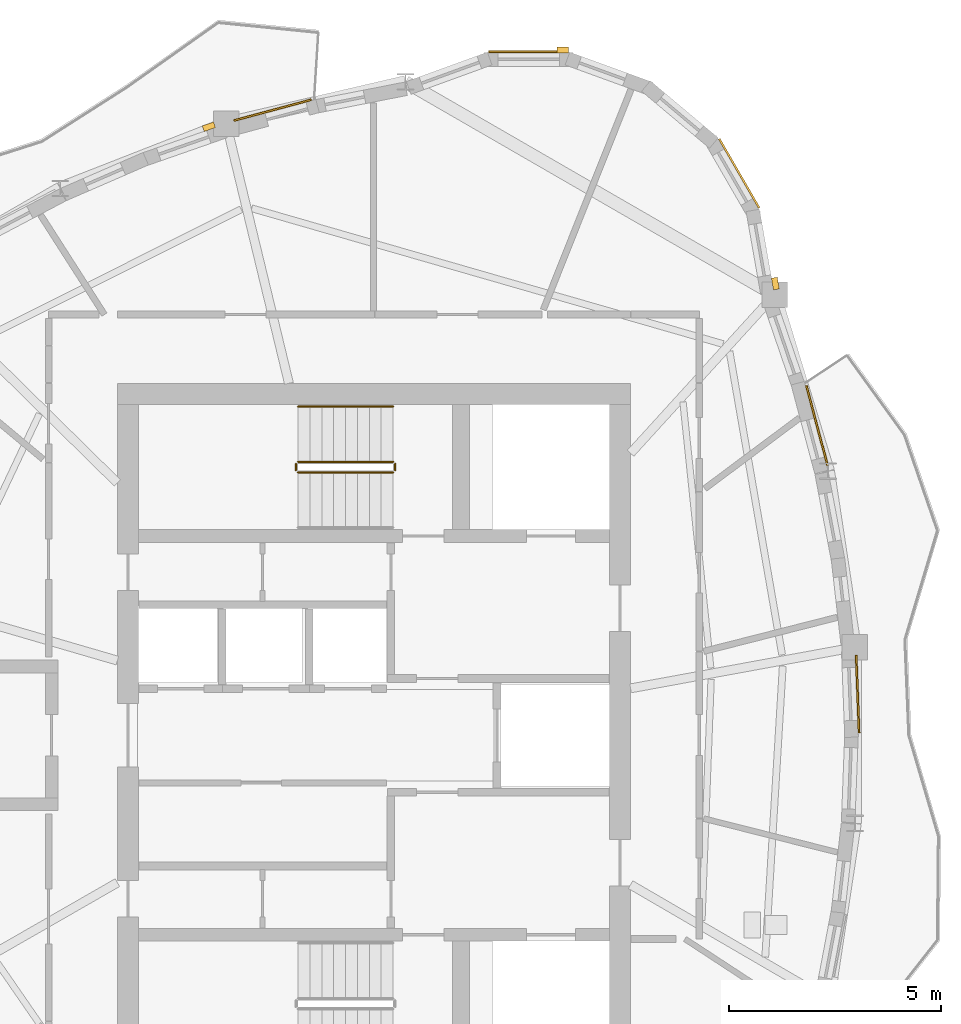
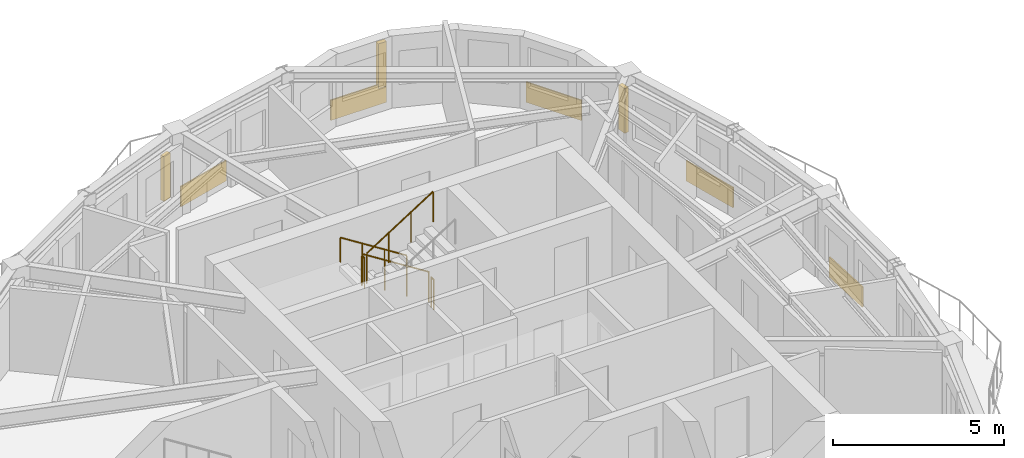
# One storey, part 10 of 11: 5 coverings, 5 railings, 3 shading devices.
"""IFC4 building model written with IfcOpenShell, lengths in metres."""

from ifc_helpers import new_model, si_unit, direction, frame, origin, origin_2d, place, context, subcontext, project, spatial, rectangle, circle, extrude, source, transform, mapped, material, layer, layer_set, type_object, element, save


model = new_model("IFC4")

# Units and contexts
model_context = context("Model", 3, precision=1e-05, world=origin(), true_north=direction((0.0, 1.0)))
body_context = subcontext(model_context, "Body", "Model", "MODEL_VIEW")
ifc_project = project(units=[si_unit("LENGTHUNIT", "METRE"), si_unit("AREAUNIT", "SQUARE_METRE"), si_unit("VOLUMEUNIT", "CUBIC_METRE"), si_unit("PLANEANGLEUNIT", "RADIAN"), si_unit("MASSUNIT", "GRAM", prefix="KILO")], contexts=[model_context])

# Site, building, storey
site_placement = place(None, origin())
site = spatial("IfcSite", under=ifc_project, at=site_placement, CompositionType="ELEMENT")
building_placement = place(site_placement, origin())
building = spatial("IfcBuilding", under=site, at=building_placement, Name="Qafzar Sky-Pleat Residences", CompositionType="ELEMENT")
storey_placement = place(building_placement, frame((0.0, 0.0, 240.39990234375)))
storey = spatial("IfcBuildingStorey", under=building, at=storey_placement, Name="L72", CompositionType="ELEMENT", Elevation=240.39990234375)

# Shading devices
ifc_material_1 = material(Name="Honed Riyadh limestone solar fin", Category="masonry")
ifc_layer_1 = layer(ifc_material_1, 0.139892578125)
ifc_layer_set_1 = layer_set([ifc_layer_1], Name="Honed Riyadh limestone solar fin")
shading_device_type = type_object("IfcShadingDeviceType", Name="SHD-FIN-STONE", PredefinedType="SHUTTER", material=ifc_layer_set_1)
shared_shape_1 = source(origin(), body_context, "Body", "SweptSolid", [
    extrude(rectangle(XDim=0.139892578125, YDim=0.280029296875, at=origin_2d()), origin(), (0.0, 0.0, 1.0), 1.60009765625),
])
for number, where, z_axis, x_axis, name in (
    (1, (39.813720703125, 36.652099609375, 0.60009765625), (0.0, 0.0, 1.0), (0.984807537751, 0.173649398471, 0.0), "L72 Limestone Solar Fin 33"),
    (2, (34.800048828125, 42.160400390625, 0.60009765625), (0.0, 0.0, 1.0), (0.0, 1.0, 0.0), "L72 Limestone Solar Fin 37"),
    (3, (26.457275390625, 40.349365234375, 0.60009765625), (0.0, 0.0, 1.0), (-0.329579093923, 0.944127968471, 0.0), "L72 Limestone Solar Fin 41"),
):
    element("IfcShadingDevice", number, at=place(storey_placement, frame(where, z_axis=z_axis, x_axis=x_axis)), inside=storey, type_object=shading_device_type, Name=name, PredefinedType="SHUTTER", context=body_context, shape_type="MappedRepresentation", body=[
        mapped(shared_shape_1, transform((0.0, 0.0, 0.0), x_axis=(1.0, 0.0, 0.0), y_axis=(0.0, 1.0, 0.0), z_axis=(0.0, 0.0, 1.0), scale=1.0)),
    ])

# Coverings
ifc_material_2 = material(Name="Honed Riyadh Tuwaiq limestone cladding", Category="masonry")
ifc_layer_2 = layer(ifc_material_2, 0.044921875)
ifc_layer_set_2 = layer_set([ifc_layer_2], Name="Honed Riyadh Tuwaiq limestone cladding")
covering_type = type_object("IfcCoveringType", Name="COV-CLAD-STONE", PredefinedType="CLADDING", material=ifc_layer_set_2)
shared_shape_2 = source(origin(), body_context, "Body", "SweptSolid", [
    extrude(rectangle(XDim=1.88134765625, YDim=0.044921875, at=origin_2d()), origin(), (0.0, 0.0, 1.0), 0.719970703125),
])
covering_1_placement = place(storey_placement, frame((33.9951171875, 42.117431640625, 0.02001953125), z_axis=(0.0, 0.0, 1.0), x_axis=(-1.0, 0.0, 0.0)))
element("IfcCovering", 4, at=covering_1_placement, inside=storey, type_object=covering_type, Name="L72 Riyadh Limestone Spandrel Cladding 37", PredefinedType="CLADDING", context=body_context, shape_type="MappedRepresentation", body=[
    mapped(shared_shape_2, transform((0.0, 0.0, 0.0), x_axis=(1.0, 0.0, 0.0), y_axis=(0.0, 1.0, 0.0), z_axis=(0.0, 0.0, 1.0), scale=1.0)),
])
shared_shape_3 = source(origin(), body_context, "Body", "SweptSolid", [
    extrude(rectangle(XDim=1.881103515625, YDim=0.044921875, at=origin_2d()), origin(), (0.0, 0.0, 1.0), 0.719970703125),
])
covering_2_placement = place(storey_placement, frame((38.960693359375, 39.25048828125, 0.02001953125), z_axis=(0.0, 0.0, 1.0), x_axis=(-0.499993018474, 0.866029434533, 0.0)))
element("IfcCovering", 5, at=covering_2_placement, inside=storey, type_object=covering_type, Name="L72 Riyadh Limestone Spandrel Cladding 34", PredefinedType="CLADDING", context=body_context, shape_type="MappedRepresentation", body=[
    mapped(shared_shape_3, transform((0.0, 0.0, 0.0), x_axis=(1.0, 0.0, 0.0), y_axis=(0.0, 1.0, 0.0), z_axis=(0.0, 0.0, 1.0), scale=1.0)),
])
shared_shape_4 = source(origin(), body_context, "Body", "SweptSolid", [
    extrude(rectangle(XDim=1.823486328125, YDim=0.044921875, at=origin_2d()), origin(), (0.0, 0.0, 1.0), 0.719970703125),
])
covering_3_placement = place(storey_placement, frame((41.7529296875, 26.975341796875, 0.02001953125), z_axis=(0.0, 0.0, 1.0), x_axis=(-0.038002853535, 0.999277630653, 0.0)))
element("IfcCovering", 6, at=covering_3_placement, inside=storey, type_object=covering_type, Name="L72 Riyadh Limestone Spandrel Cladding 28", PredefinedType="CLADDING", context=body_context, shape_type="MappedRepresentation", body=[
    mapped(shared_shape_4, transform((0.0, 0.0, 0.0), x_axis=(1.0, 0.0, 0.0), y_axis=(0.0, 1.0, 0.0), z_axis=(0.0, 0.0, 1.0), scale=1.0)),
])
shared_shape_5 = source(origin(), body_context, "Body", "SweptSolid", [
    extrude(rectangle(XDim=1.9501953125, YDim=0.044921875, at=origin_2d()), origin(), (0.0, 0.0, 1.0), 0.719970703125),
])
covering_4_placement = place(storey_placement, frame((40.795166015625, 33.30224609375, 0.02001953125), z_axis=(0.0, 0.0, 1.0), x_axis=(-0.257091020196, 0.966387193279, 0.0)))
element("IfcCovering", 7, at=covering_4_placement, inside=storey, type_object=covering_type, Name="L72 Riyadh Limestone Spandrel Cladding 31", PredefinedType="CLADDING", context=body_context, shape_type="MappedRepresentation", body=[
    mapped(shared_shape_5, transform((0.0, 0.0, 0.0), x_axis=(1.0, 0.0, 0.0), y_axis=(0.0, 1.0, 0.0), z_axis=(0.0, 0.0, 1.0), scale=1.0)),
])
shared_shape_6 = source(origin(), body_context, "Body", "SweptSolid", [
    extrude(rectangle(XDim=1.88720703125, YDim=0.044921875, at=origin_2d()), origin(), (0.0, 0.0, 1.0), 0.719970703125),
])
covering_5_placement = place(storey_placement, frame((27.960205078125, 40.7412109375, 0.02001953125), z_axis=(0.0, 0.0, 1.0), x_axis=(-0.965466876139, -0.260525835722, 0.0)))
element("IfcCovering", 8, at=covering_5_placement, inside=storey, type_object=covering_type, Name="L72 Riyadh Limestone Spandrel Cladding 40", PredefinedType="CLADDING", context=body_context, shape_type="MappedRepresentation", body=[
    mapped(shared_shape_6, transform((0.0, 0.0, 0.0), x_axis=(1.0, 0.0, 0.0), y_axis=(0.0, 1.0, 0.0), z_axis=(0.0, 0.0, 1.0), scale=1.0)),
])

# Railings
ifc_material_3 = material(Name="Painted Steel S355 stair guardrail", Category="steel")
railing_type_1 = type_object("IfcRailingType", Name="RAIL-STAIR-GUARD", PredefinedType="GUARDRAIL", material=ifc_material_3)
shared_shape_7 = source(origin(), body_context, "Body", "SweptSolid", [
    extrude(circle(Radius=0.02392578125, at=origin_2d()), frame((0.0, 0.0, 1.076171875), z_axis=(0.0, -1.0, 0.0), x_axis=(1.0, 0.0, 0.0)), (0.0, 0.0, 1.0), 0.14990234375),
    extrude(circle(Radius=0.02099609375, at=origin_2d()), origin(), (0.0, 0.0, 1.0), 1.052001953125),
    extrude(circle(Radius=0.02099609375, at=origin_2d()), frame((0.0, -0.14990234375, 0.0)), (0.0, 0.0, 1.0), 1.052001953125),
])
for number, where, name in (
    (9, (28.510009765625, 32.39990234375, 1.60009765625), "L72 ST2 stair guard 2"),
    (10, (30.85009765625, 32.39990234375, 0.0), "L72 ST2 stair guard 4"),
):
    element("IfcRailing", number, at=place(storey_placement, frame(where)), inside=storey, type_object=railing_type_1, Name=name, PredefinedType="GUARDRAIL", context=body_context, shape_type="MappedRepresentation", body=[
        mapped(shared_shape_7, transform((0.0, 0.0, 0.0), x_axis=(1.0, 0.0, 0.0), y_axis=(0.0, 1.0, 0.0), z_axis=(0.0, 0.0, 1.0), scale=1.0)),
    ])
shared_shape_8 = source(origin(), body_context, "Body", "SweptSolid", [
    extrude(circle(Radius=0.02392578125, at=origin_2d()), frame((0.0, 0.0, 1.076171875), z_axis=(-0.8442293374, 0.0, 0.53598211339), x_axis=(0.0, -1.0, 0.0)), (0.0, 0.0, 1.0), 2.6533203125),
    extrude(circle(Radius=0.02099609375, at=origin_2d()), origin(), (0.0, 0.0, 1.0), 1.052001953125),
    extrude(circle(Radius=0.02099609375, at=origin_2d()), frame((-0.74658203125, 0.0, 0.47412109375)), (0.0, 0.0, 1.0), 1.052001953125),
    extrude(circle(Radius=0.02099609375, at=origin_2d()), frame((-1.493408203125, 0.0, 0.947998046875)), (0.0, 0.0, 1.0), 1.052001953125),
    extrude(circle(Radius=0.02099609375, at=origin_2d()), frame((-2.239990234375, 0.0, 1.422119140625)), (0.0, 0.0, 1.0), 1.052001953125),
])
railing_1_placement = place(storey_placement, frame((30.800048828125, 32.449951171875, 0.177978515625)))
element("IfcRailing", 11, at=railing_1_placement, inside=storey, type_object=railing_type_1, Name="L72 ST2 stair guard 1", PredefinedType="GUARDRAIL", context=body_context, shape_type="MappedRepresentation", body=[
    mapped(shared_shape_8, transform((0.0, 0.0, 0.0), x_axis=(1.0, 0.0, 0.0), y_axis=(0.0, 1.0, 0.0), z_axis=(0.0, 0.0, 1.0), scale=1.0)),
])
ifc_material_4 = material(Name="Brushed stainless steel handrail", Category="steel")
railing_type_2 = type_object("IfcRailingType", Name="RAIL-STAIR-HAND", PredefinedType="HANDRAIL", material=ifc_material_4)
shared_shape_9 = source(origin(), body_context, "Body", "SweptSolid", [
    extrude(circle(Radius=0.02392578125, at=origin_2d()), frame((0.0, 0.0, 0.8759765625), z_axis=(-0.8442293374, 0.0, 0.53598211339), x_axis=(0.0, -1.0, 0.0)), (0.0, 0.0, 1.0), 2.6533203125),
    extrude(circle(Radius=0.02099609375, at=origin_2d()), origin(), (0.0, 0.0, 1.0), 0.851806640625),
    extrude(circle(Radius=0.02099609375, at=origin_2d()), frame((-0.74658203125, 0.0, 0.47412109375)), (0.0, 0.0, 1.0), 0.851806640625),
    extrude(circle(Radius=0.02099609375, at=origin_2d()), frame((-1.493408203125, 0.0, 0.947998046875)), (0.0, 0.0, 1.0), 0.851806640625),
    extrude(circle(Radius=0.02099609375, at=origin_2d()), frame((-2.239990234375, 0.0, 1.422119140625)), (0.0, 0.0, 1.0), 0.851806640625),
])
railing_2_placement = place(storey_placement, frame((30.800048828125, 33.75, 0.177978515625)))
element("IfcRailing", 12, at=railing_2_placement, inside=storey, type_object=railing_type_2, Name="L72 ST2 stair handrail 1", PredefinedType="HANDRAIL", context=body_context, shape_type="MappedRepresentation", body=[
    mapped(shared_shape_9, transform((0.0, 0.0, 0.0), x_axis=(1.0, 0.0, 0.0), y_axis=(0.0, 1.0, 0.0), z_axis=(0.0, 0.0, 1.0), scale=1.0)),
])
shared_shape_10 = source(origin(), body_context, "Body", "SweptSolid", [
    extrude(circle(Radius=0.02392578125, at=origin_2d()), frame((0.0, 0.0, 1.076171875), z_axis=(0.84418770128, 0.0, 0.536047689118), x_axis=(0.0, 1.0, 0.0)), (0.0, 0.0, 1.0), 2.6533203125),
    extrude(circle(Radius=0.02099609375, at=origin_2d()), origin(), (0.0, 0.0, 1.0), 1.052001953125),
    extrude(circle(Radius=0.02099609375, at=origin_2d()), frame((0.74658203125, 0.0, 0.47412109375)), (0.0, 0.0, 1.0), 1.052001953125),
    extrude(circle(Radius=0.02099609375, at=origin_2d()), frame((1.493408203125, 0.0, 0.9482421875)), (0.0, 0.0, 1.0), 1.052001953125),
    extrude(circle(Radius=0.02099609375, at=origin_2d()), frame((2.239990234375, 0.0, 1.42236328125)), (0.0, 0.0, 1.0), 1.052001953125),
])
railing_3_placement = place(storey_placement, frame((28.56005859375, 32.199951171875, 1.77783203125)))
element("IfcRailing", 13, at=railing_3_placement, inside=storey, type_object=railing_type_1, Name="L72 ST2 stair guard 3", PredefinedType="GUARDRAIL", context=body_context, shape_type="MappedRepresentation", body=[
    mapped(shared_shape_10, transform((0.0, 0.0, 0.0), x_axis=(1.0, 0.0, 0.0), y_axis=(0.0, 1.0, 0.0), z_axis=(0.0, 0.0, 1.0), scale=1.0)),
])

save(model, "model.ifc")
